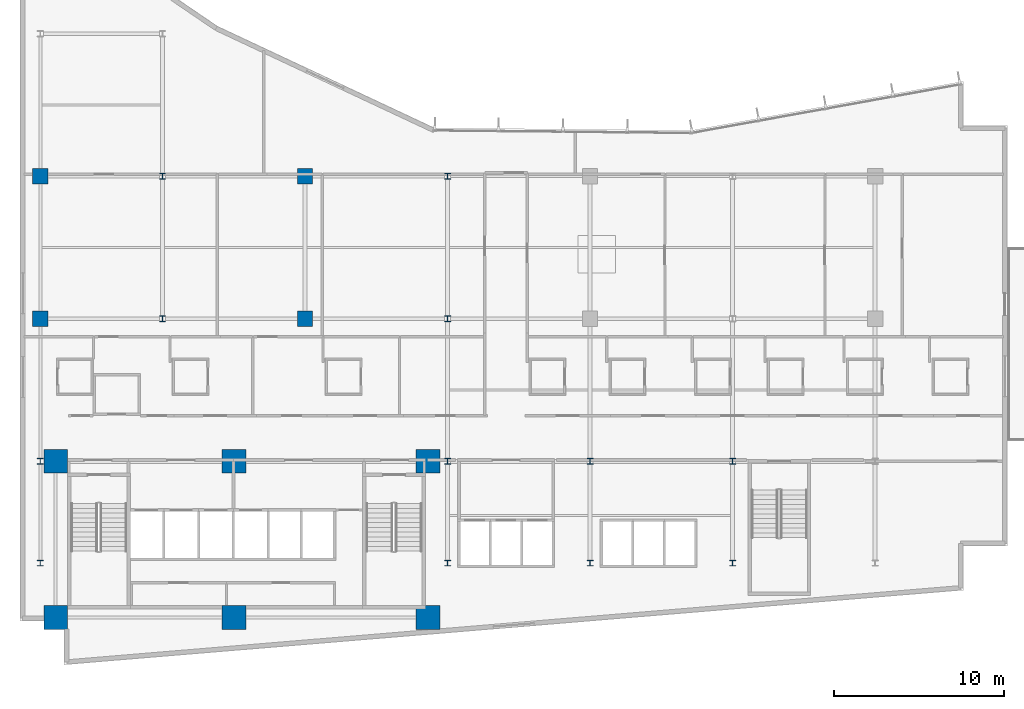
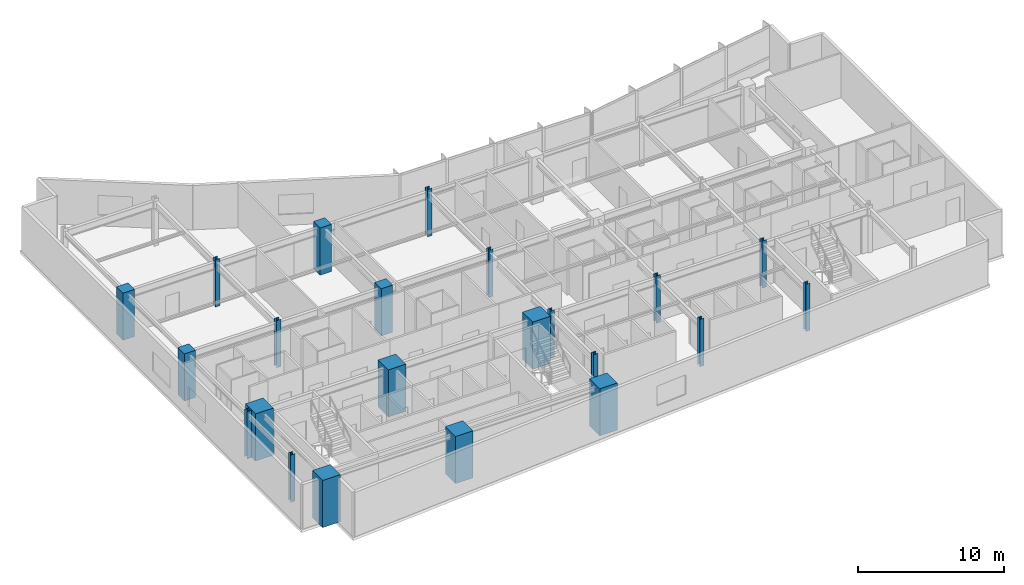
# One storey, part 1 of 19: 22 columns.
"""IFC4 building model written with IfcOpenShell, lengths in metres."""

from ifc_helpers import new_model, si_unit, direction, frame, origin, origin_2d, place, context, subcontext, project, spatial, rectangle, i_section, extrude, material, material_profile, profile_set, type_object, element, save


model = new_model("IFC4")

# Units and contexts
model_context = context("Model", 3, precision=1e-05, world=origin(), true_north=direction((0.0, 1.0)))
body_context = subcontext(model_context, "Body", "Model", "MODEL_VIEW")
ifc_project = project(units=[si_unit("LENGTHUNIT", "METRE"), si_unit("AREAUNIT", "SQUARE_METRE"), si_unit("VOLUMEUNIT", "CUBIC_METRE"), si_unit("PLANEANGLEUNIT", "RADIAN"), si_unit("MASSUNIT", "GRAM", prefix="KILO")], contexts=[model_context])

# Site, building, storey
site_placement = place(None, origin())
site = spatial("IfcSite", under=ifc_project, at=site_placement, CompositionType="ELEMENT")
building_placement = place(site_placement, origin())
building = spatial("IfcBuilding", under=site, at=building_placement, Name="Varnakote Quay Hospital", CompositionType="ELEMENT")
storey_placement = place(building_placement, frame((0.0, 0.0, 54.10009765625)))
storey = spatial("IfcBuildingStorey", under=building, at=storey_placement, Name="L13", CompositionType="ELEMENT", Elevation=54.10009765625)

# Columns
ifc_material_1 = material(Name="Concrete N80 (f'c 80 MPa)", Category="concrete")
ifc_material_profile_1 = material_profile(ifc_material_1, rectangle(XDim=1.39990234375, YDim=1.39990234375, at=origin_2d()), Name="RC-COL-1400x1400")
ifc_profile_set_1 = profile_set([ifc_material_profile_1], Name="Concrete N80 (f'c 80 MPa)")
column_type_1 = type_object("IfcColumnType", Name="COL-RC-1400", PredefinedType="COLUMN", material=ifc_profile_set_1)
for number, where, z_axis, x_axis, name in (
    (1, (2.10009765625, 2.800048828125, 0.0), (0.0, 0.0, 1.0), (1.0, 0.0, 0.0), "L13 Structural Column C-2-3"),
    (2, (12.6201171875, 2.800048828125, 0.0), (0.0, 0.0, 1.0), (1.0, 0.0, 0.0), "L13 Structural Column C-13-3"),
    (3, (24.050048828125, 2.800048828125, 0.0), (0.0, 0.0, 1.0), (1.0, 0.0, 0.0), "L13 Structural Column C-24-3"),
    (4, (2.10009765625, 12.0, 0.0), (0.0, 0.0, 1.0), (1.0, 0.0, 0.0), "L13 Structural Column C-2-12"),
    (5, (12.6201171875, 12.0, 0.0), (0.0, 0.0, 1.0), (1.0, 0.0, 0.0), "L13 Structural Column C-13-12"),
    (6, (24.050048828125, 12.0, 0.0), (0.0, 0.0, 1.0), (1.0, 0.0, 0.0), "L13 Structural Column C-24-12"),
):
    element("IfcColumn", number, at=place(storey_placement, frame(where, z_axis=z_axis, x_axis=x_axis)), inside=storey, type_object=column_type_1, Name=name, PredefinedType="COLUMN", context=body_context, shape_type="SweptSolid", body=[
        extrude(rectangle(XDim=1.39990234375, YDim=1.39990234375, at=origin_2d()), origin(), (0.0, 0.0, 1.0), 3.949951171875),
    ])
ifc_material_2 = material(Name="Concrete N50 (f'c 50 MPa)", Category="concrete")
ifc_material_profile_2 = material_profile(ifc_material_2, rectangle(XDim=0.89990234375, YDim=0.89990234375, at=origin_2d()), Name="RC-COL-900x900")
ifc_profile_set_2 = profile_set([ifc_material_profile_2], Name="Concrete N50 (f'c 50 MPa)")
column_type_2 = type_object("IfcColumnType", Name="COL-RC-900", PredefinedType="COLUMN", material=ifc_profile_set_2)
for number, where, z_axis, x_axis, name in (
    (7, (1.199951171875, 20.39990234375, 0.0), (0.0, 0.0, 1.0), (1.0, 0.0, 0.0), "L13 Structural Column C-1-20"),
    (8, (16.800048828125, 20.39990234375, 0.0), (0.0, 0.0, 1.0), (1.0, 0.0, 0.0), "L13 Structural Column C-17-20"),
    (9, (1.199951171875, 28.800048828125, 0.0), (0.0, 0.0, 1.0), (1.0, 0.0, 0.0), "L13 Structural Column C-1-29"),
    (10, (16.800048828125, 28.800048828125, 0.0), (0.0, 0.0, 1.0), (1.0, 0.0, 0.0), "L13 Structural Column C-17-29"),
):
    element("IfcColumn", number, at=place(storey_placement, frame(where, z_axis=z_axis, x_axis=x_axis)), inside=storey, type_object=column_type_2, Name=name, PredefinedType="COLUMN", context=body_context, shape_type="SweptSolid", body=[
        extrude(rectangle(XDim=0.89990234375, YDim=0.89990234375, at=origin_2d()), origin(), (0.0, 0.0, 1.0), 3.949951171875),
    ])
ifc_material_3 = material(Name="Structural steel AS/NZS 3678 Grade 350 (fy 340 MPa)", Category="steel")
ifc_material_profile_3 = material_profile(ifc_material_3, i_section(OverallWidth=0.35009765625, OverallDepth=0.340087890625, WebThickness=0.01611328125, FlangeThickness=0.028076171875, at=origin_2d()), Name="350WC197")
ifc_profile_set_3 = profile_set([ifc_material_profile_3], Name="Structural steel AS/NZS 3678 Grade 350 (fy 340 MPa)")
column_type_3 = type_object("IfcColumnType", Name="COL-STL-350WC197", PredefinedType="COLUMN", material=ifc_profile_set_3)
for number, where, z_axis, x_axis, name in (
    (11, (1.199951171875, 6.0, 0.0), (0.0, 0.0, 1.0), (1.0, 0.0, 0.0), "L13 Structural Column C-1-6"),
    (12, (25.199951171875, 6.0, 0.0), (0.0, 0.0, 1.0), (1.0, 0.0, 0.0), "L13 Structural Column C-25-6"),
    (13, (33.60009765625, 6.0, 0.0), (0.0, 0.0, 1.0), (1.0, 0.0, 0.0), "L13 Structural Column C-34-6"),
    (14, (42.0, 6.0, 0.0), (0.0, 0.0, 1.0), (1.0, 0.0, 0.0), "L13 Structural Column C-42-6"),
    (15, (1.199951171875, 12.0, 0.0), (0.0, 0.0, 1.0), (1.0, 0.0, 0.0), "L13 Structural Column C-1-12"),
    (16, (25.199951171875, 12.0, 0.0), (0.0, 0.0, 1.0), (1.0, 0.0, 0.0), "L13 Structural Column C-25-12"),
    (17, (33.60009765625, 12.0, 0.0), (0.0, 0.0, 1.0), (1.0, 0.0, 0.0), "L13 Structural Column C-34-12"),
    (18, (42.0, 12.0, 0.0), (0.0, 0.0, 1.0), (1.0, 0.0, 0.0), "L13 Structural Column C-42-12"),
    (19, (8.39990234375, 20.39990234375, 0.0), (0.0, 0.0, 1.0), (1.0, 0.0, 0.0), "L13 Structural Column C-8-20"),
    (20, (25.199951171875, 20.39990234375, 0.0), (0.0, 0.0, 1.0), (1.0, 0.0, 0.0), "L13 Structural Column C-25-20"),
    (21, (8.39990234375, 28.800048828125, 0.0), (0.0, 0.0, 1.0), (1.0, 0.0, 0.0), "L13 Structural Column C-8-29"),
    (22, (25.199951171875, 28.800048828125, 0.0), (0.0, 0.0, 1.0), (1.0, 0.0, 0.0), "L13 Structural Column C-25-29"),
):
    element("IfcColumn", number, at=place(storey_placement, frame(where, z_axis=z_axis, x_axis=x_axis)), inside=storey, type_object=column_type_3, Name=name, PredefinedType="COLUMN", context=body_context, shape_type="SweptSolid", body=[
        extrude(i_section(OverallWidth=0.35009765625, OverallDepth=0.340087890625, WebThickness=0.01611328125, FlangeThickness=0.028076171875, at=origin_2d()), origin(), (0.0, 0.0, 1.0), 3.949951171875),
    ])

save(model, "model.ifc")
